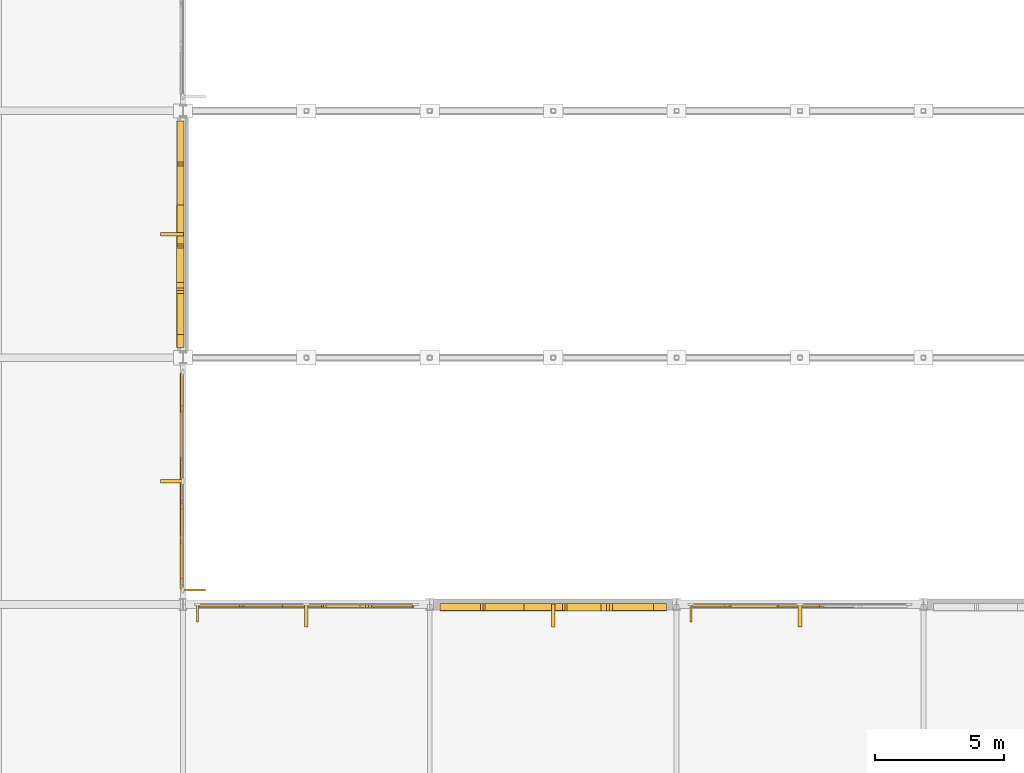
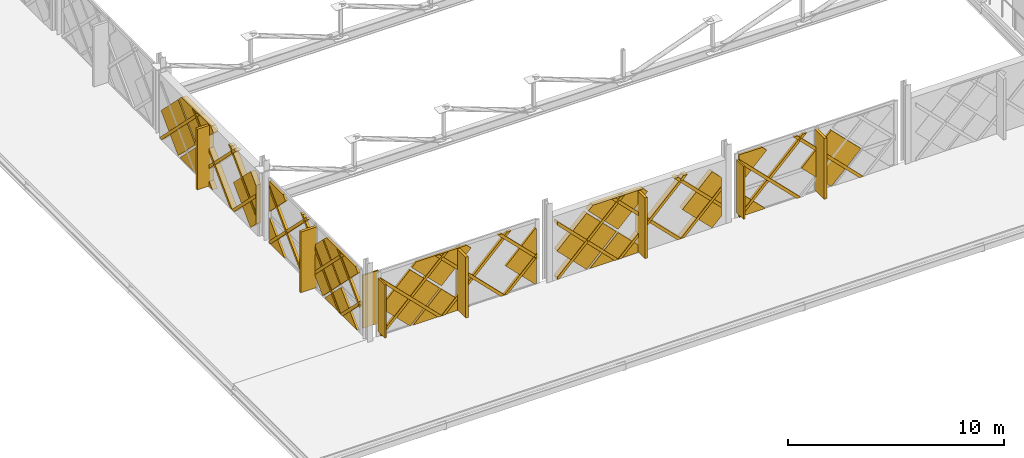
# One storey, part 74 of 101: 51 coverings, 3 shading devices.
"""IFC4 building model written with IfcOpenShell, lengths in metres."""

from ifc_helpers import new_model, si_unit, direction, frame, origin, origin_2d, place, context, subcontext, project, spatial, polyline, rectangle, outline, extrude, material, layer, layer_set, type_object, element, save


model = new_model("IFC4")

# Units and contexts
model_context = context("Model", 3, precision=1e-05, world=origin(), true_north=direction((0.0, 1.0)))
body_context = subcontext(model_context, "Body", "Model", "MODEL_VIEW")
ifc_project = project(units=[si_unit("LENGTHUNIT", "METRE"), si_unit("AREAUNIT", "SQUARE_METRE"), si_unit("VOLUMEUNIT", "CUBIC_METRE"), si_unit("PLANEANGLEUNIT", "RADIAN"), si_unit("MASSUNIT", "GRAM", prefix="KILO")], contexts=[model_context])

# Site, building, storey
site_placement = place(None, origin())
site = spatial("IfcSite", under=ifc_project, at=site_placement, CompositionType="ELEMENT")
building_placement = place(site_placement, origin())
building = spatial("IfcBuilding", under=site, at=building_placement, Name="Zevrakil Square Congress Hotel", CompositionType="ELEMENT")
storey_placement = place(building_placement, frame((0.0, 0.0, 5.39990234375)))
storey = spatial("IfcBuildingStorey", under=building, at=storey_placement, Name="L02", CompositionType="ELEMENT", Elevation=5.39990234375)

# Coverings
ifc_material_1 = material(Name="Architectural White Fibre-C GRC", Category="concrete")
ifc_layer_1 = layer(ifc_material_1, 0.06494140625)
ifc_layer_set_1 = layer_set([ifc_layer_1], Name="Architectural White Fibre-C GRC")
covering_type_1 = type_object("IfcCoveringType", Name="COV-DIA-WHITE", PredefinedType="CLADDING", material=ifc_layer_set_1)
covering_1_placement = place(storey_placement, frame((11.080078125, 7.10595703125, 1.590087890625), z_axis=(0.0, -0.999999790873, 0.000646725815), x_axis=(0.707106707249, -0.000457304257, -0.707106707249)))
element("IfcCovering", 1, at=covering_1_placement, inside=storey, type_object=covering_type_1, Name="L02 45-degree white GRC diamond facade cassette 1", PredefinedType="CLADDING", context=body_context, shape_type="SweptSolid", body=[
    extrude(outline(polyline([(0.0, 0.0), (2.1354765131557993, 0.0), (4.465861884739297e-07, -2.1354765131557527), (0.0, 0.0)])), origin(), (0.0, 0.0, -1.0), 0.1201171875),
])
covering_2_placement = place(storey_placement, frame((9.39990234375, 7.10693359375, 3.27001953125), z_axis=(0.0, -0.999999812555, 0.000612282237), x_axis=(0.707161000838, -0.000432915721, -0.707052424844)))
element("IfcCovering", 2, at=covering_2_placement, inside=storey, type_object=covering_type_1, Name="L02 45-degree white GRC diamond facade cassette 2", PredefinedType="CLADDING", context=body_context, shape_type="SweptSolid", body=[
    extrude(outline(polyline([(0.0, 0.0), (2.2485514454845923, 0.0), (2.248379222880032, -2.2487240657380214), (0.013983748838055643, -2.248379882955194), (-0.0001711092764935529, -2.234222853853795), (0.0, 0.0)])), origin(), (0.0, 0.0, -1.0), 0.1201171875),
])
covering_3_placement = place(storey_placement, frame((16.1201171875, 7.10498046875, 0.090087890625), z_axis=(-4.3911e-08, -0.999999810879, 0.000615014432), x_axis=(-0.707106714509, 0.000434911966, 0.707106714116)))
element("IfcCovering", 3, at=covering_3_placement, inside=storey, type_object=covering_type_1, Name="L02 45-degree white GRC diamond facade cassette 3", PredefinedType="CLADDING", context=body_context, shape_type="SweptSolid", body=[
    extrude(outline(polyline([(0.0, 0.0), (2.2487240723345274, -2.220446049250313e-16), (2.248551862954323, -2.2485514388919943), (2.1639614601190895, -2.2485514548663854), (0.00017263345166069338, -0.0847630362800969), (0.0, 0.0)])), origin(), (0.0, 0.0, -1.0), 0.1201171875),
])
covering_4_placement = place(storey_placement, frame((12.669921875, 7.10693359375, 3.360107421875), z_axis=(0.0, -0.999999832179, 0.000579346068), x_axis=(-0.707052455657, -0.000409691004, -0.707160983866)))
element("IfcCovering", 4, at=covering_4_placement, inside=storey, type_object=covering_type_1, Name="L02 45-degree white GRC diamond facade cassette 4", PredefinedType="CLADDING", context=body_context, shape_type="SweptSolid", body=[
    extrude(outline(polyline([(0.0, 0.0), (2.2485513447832775, -2.220446049250313e-16), (2.248378475325489, -2.2487239649946003), (1.901903001207207, -2.248524784497797), (-2.6675655460328684e-05, -0.346302853878948), (0.0, 0.0)])), origin(), (0.0, 0.0, -1.0), 0.1201171875),
])
covering_5_placement = place(storey_placement, frame((20.4599609375, 6.970947265625, 1.590087890625), z_axis=(0.0, -0.999999790873, 0.000646725815), x_axis=(0.707106707249, -0.000457304257, -0.707106707249)))
element("IfcCovering", 5, at=covering_5_placement, inside=storey, type_object=covering_type_1, Name="L02 45-degree white GRC diamond facade cassette 12", PredefinedType="CLADDING", context=body_context, shape_type="SweptSolid", body=[
    extrude(outline(polyline([(0.0, 0.0), (2.1354765131557993, 0.0), (4.465861884739297e-07, -2.1354765131557527), (0.0, 0.0)])), origin(), (0.0, 0.0, -1.0), 0.27001953125),
])
covering_6_placement = place(storey_placement, frame((18.780029296875, 6.971923828125, 3.27001953125), z_axis=(2.41659e-07, -0.999999856488, 0.000535746851), x_axis=(0.70716100192, -0.000378630288, -0.707052454916)))
element("IfcCovering", 6, at=covering_6_placement, inside=storey, type_object=covering_type_1, Name="L02 45-degree white GRC diamond facade cassette 13", PredefinedType="CLADDING", context=body_context, shape_type="SweptSolid", body=[
    extrude(outline(polyline([(0.0, 0.0), (2.248551442001582, 2.220446049250313e-16), (2.248379120041563, -2.2487239697677768), (0.01381109549741355, -2.248552500098768), (-0.0003437632191625184, -2.2343954703555884), (0.0, 0.0)])), origin(), (0.0, 0.0, -1.0), 0.27001953125),
])
covering_7_placement = place(storey_placement, frame((25.5, 6.97021484375, 0.090087890625), z_axis=(5.020277e-05, -0.999999852613, 0.000540604317), x_axis=(-0.707106744894, 0.000346766286, 0.707106732451)))
element("IfcCovering", 7, at=covering_7_placement, inside=storey, type_object=covering_type_1, Name="L02 45-degree white GRC diamond facade cassette 14", PredefinedType="CLADDING", context=body_context, shape_type="SweptSolid", body=[
    extrude(outline(polyline([(0.0, 0.0), (2.2487239790653226, 0.0), (2.248551664439469, -2.248551438575526), (1.5414448411068693, -2.2485514327970137), (7.843832011689145e-08, -0.7071068214751914), (0.0, 0.0)])), origin(), (0.0, 0.0, -1.0), 0.27001953125),
])
covering_8_placement = place(storey_placement, frame((22.050048828125, 6.971923828125, 3.360107421875), z_axis=(0.0, -0.999999832179, 0.000579346068), x_axis=(-0.707106746172, -0.000409659554, -0.707106697534)))
element("IfcCovering", 8, at=covering_8_placement, inside=storey, type_object=covering_type_1, Name="L02 45-degree white GRC diamond facade cassette 15", PredefinedType="CLADDING", context=body_context, shape_type="SweptSolid", body=[
    extrude(outline(polyline([(0.0, 0.0), (2.2487239716392238, 0.0), (2.2485511154520332, -2.2485513381391633), (1.9022482605456785, -2.2485513919470725), (0.00017254537865349362, -0.34647548840639664), (0.0, 0.0)])), origin(), (0.0, 0.0, -1.0), 0.27001953125),
])
covering_9_placement = place(storey_placement, frame((28.429931640625, 7.10498046875, 0.080078125), z_axis=(0.0, -0.999999760125, 0.000692640526), x_axis=(-1.0, 0.0, 0.0)))
element("IfcCovering", 9, at=covering_9_placement, inside=storey, type_object=covering_type_1, Name="L02 45-degree white GRC diamond facade cassette 23", PredefinedType="CLADDING", context=body_context, shape_type="SweptSolid", body=[
    extrude(outline(polyline([(0.0, 0.0), (1.409912109375, 0.0), (1.409912109375, -1.4099124475784228), (0.0, 0.0)])), origin(), (0.0, 0.0, -1.0), 0.1201171875),
])
covering_10_placement = place(storey_placement, frame((31.9599609375, 7.10693359375, 3.27001953125), z_axis=(0.0, -0.999999811377, 0.000614203339), x_axis=(0.707161000837, -0.000434274042, -0.707052424012)))
element("IfcCovering", 10, at=covering_10_placement, inside=storey, type_object=covering_type_1, Name="L02 45-degree white GRC diamond facade cassette 25", PredefinedType="CLADDING", context=body_context, shape_type="SweptSolid", body=[
    extrude(outline(polyline([(0.0, 0.0), (2.2485514454867683, 0.0), (2.2483792228863573, -2.248724065739994), (-0.0001721960923970478, -2.248378798790573), (0.0, 0.0)])), origin(), (0.0, 0.0, -1.0), 0.1201171875),
])
covering_11_placement = place(storey_placement, frame((28.510009765625, 7.10693359375, 3.360107421875), z_axis=(-6.3817204e-05, -0.999999812707, 0.000608697323), x_axis=(-0.70710674138, -0.000385288462, -0.707106716025)))
element("IfcCovering", 11, at=covering_11_placement, inside=storey, type_object=covering_type_1, Name="L02 45-degree white GRC diamond facade cassette 26", PredefinedType="CLADDING", context=body_context, shape_type="SweptSolid", body=[
    extrude(outline(polyline([(0.0, 0.0), (2.107164523048957, 0.0), (0.8804306692337134, -1.2267337135238576), (0.00017254562600751977, -0.34647549439319403), (0.0, 0.0)])), origin(), (0.0, 0.0, -1.0), 0.1201171875),
])
covering_12_placement = place(storey_placement, frame((7.10498046875, 14.77001953125, 0.080078125), z_axis=(-0.999999760125, 0.0, 0.000692640526), x_axis=(0.0, 1.0, 0.0)))
element("IfcCovering", 12, at=covering_12_placement, inside=storey, type_object=covering_type_1, Name="L02 45-degree white GRC diamond facade cassette 316", PredefinedType="CLADDING", context=body_context, shape_type="SweptSolid", body=[
    extrude(outline(polyline([(0.0, 0.0), (1.409912109375, 0.0), (1.409912109375, -1.4099124475784228), (0.0, 0.0)])), origin(), (0.0, 0.0, -1.0), 0.1201171875),
])
covering_13_placement = place(storey_placement, frame((7.10595703125, 9.56005859375, 1.590087890625), z_axis=(-0.999999790873, 0.0, 0.000646725815), x_axis=(-0.000457304257, -0.707106707249, -0.707106707249)))
element("IfcCovering", 13, at=covering_13_placement, inside=storey, type_object=covering_type_1, Name="L02 45-degree white GRC diamond facade cassette 317", PredefinedType="CLADDING", context=body_context, shape_type="SweptSolid", body=[
    extrude(outline(polyline([(0.0, 0.0), (2.1354765131557993, 0.0), (4.465861884739297e-07, -2.1354765131557527), (0.0, 0.0)])), origin(), (0.0, 0.0, -1.0), 0.1201171875),
])
covering_14_placement = place(storey_placement, frame((7.10693359375, 11.239990234375, 3.27001953125), z_axis=(-0.999999811377, 0.0, 0.000614203339), x_axis=(-0.000434274042, -0.707161000837, -0.707052424012)))
element("IfcCovering", 14, at=covering_14_placement, inside=storey, type_object=covering_type_1, Name="L02 45-degree white GRC diamond facade cassette 318", PredefinedType="CLADDING", context=body_context, shape_type="SweptSolid", body=[
    extrude(outline(polyline([(0.0, 0.0), (2.2485514454867683, 0.0), (2.2483792228863573, -2.248724065739994), (-0.0003448428211170196, -2.248551419043839), (0.0, 0.0)])), origin(), (0.0, 0.0, -1.0), 0.1201171875),
])
covering_15_placement = place(storey_placement, frame((7.10693359375, 14.68994140625, 3.360107421875), z_axis=(-0.999999808822, 6.6855783e-05, 0.000614723742), x_axis=(-0.000387401185, 0.707106741694, -0.707106714557)))
element("IfcCovering", 15, at=covering_15_placement, inside=storey, type_object=covering_type_1, Name="L02 45-degree white GRC diamond facade cassette 319", PredefinedType="CLADDING", context=body_context, shape_type="SweptSolid", body=[
    extrude(outline(polyline([(0.0, 0.0), (2.1071645228764107, 0.0), (0.8873360085541673, -1.2198283755846069), (-8.820028063460938e-08, -0.332492183678786), (0.0, 0.0)])), origin(), (0.0, 0.0, -1.0), 0.1201171875),
])
covering_16_placement = place(storey_placement, frame((7.10693359375, 7.969970703125, 3.360107421875), z_axis=(-0.999999828983, 0.0, 0.000584837432), x_axis=(-0.000413542534, 0.707106746408, -0.707106695038)))
element("IfcCovering", 16, at=covering_16_placement, inside=storey, type_object=covering_type_1, Name="L02 45-degree white GRC diamond facade cassette 320", PredefinedType="CLADDING", context=body_context, shape_type="SweptSolid", body=[
    extrude(outline(polyline([(0.0, 0.0), (2.2487239708892055, 0.0), (2.2485511162019938, -2.2485513373892037), (1.9162315725232468, -2.248724027067328), (-8.888497854409039e-08, -0.33249217716174995), (0.0, 0.0)])), origin(), (0.0, 0.0, -1.0), 0.1201171875),
])
covering_17_placement = place(storey_placement, frame((6.970947265625, 22.739990234375, 1.590087890625), z_axis=(-0.999999790873, 0.0, 0.000646725815), x_axis=(-0.000457304257, -0.707106707249, -0.707106707249)))
element("IfcCovering", 17, at=covering_17_placement, inside=storey, type_object=covering_type_1, Name="L02 45-degree white GRC diamond facade cassette 336", PredefinedType="CLADDING", context=body_context, shape_type="SweptSolid", body=[
    extrude(outline(polyline([(0.0, 0.0), (2.1354765131557993, 0.0), (4.465861884739297e-07, -2.1354765131557527), (0.0, 0.0)])), origin(), (0.0, 0.0, -1.0), 0.27001953125),
])
covering_18_placement = place(storey_placement, frame((6.971923828125, 24.419921875, 3.27001953125), z_axis=(-0.999999856488, -2.41678e-07, 0.000535746722), x_axis=(-0.000378659283, -0.707106715571, -0.707106745415)))
element("IfcCovering", 18, at=covering_18_placement, inside=storey, type_object=covering_type_1, Name="L02 45-degree white GRC diamond facade cassette 337", PredefinedType="CLADDING", context=body_context, shape_type="SweptSolid", body=[
    extrude(outline(polyline([(0.0, 0.0), (2.248378801899082, 2.220446049250313e-16), (2.248551760168468, -2.248551342862844), (0.013983729045442761, -2.2485514331189314), (-0.00017221654148569243, -2.2343954901628624), (0.0, 0.0)])), origin(), (0.0, 0.0, -1.0), 0.27001953125),
])
covering_19_placement = place(storey_placement, frame((6.97021484375, 17.699951171875, 0.090087890625), z_axis=(-0.999999852613, -5.020277e-05, 0.000540604317), x_axis=(0.000346766286, 0.707106744894, 0.707106732451)))
element("IfcCovering", 19, at=covering_19_placement, inside=storey, type_object=covering_type_1, Name="L02 45-degree white GRC diamond facade cassette 338", PredefinedType="CLADDING", context=body_context, shape_type="SweptSolid", body=[
    extrude(outline(polyline([(0.0, 0.0), (2.2487239790653226, 0.0), (2.248551664439469, -2.248551438575526), (1.5414448411068693, -2.2485514327970137), (7.843832011689145e-08, -0.7071068214751914), (0.0, 0.0)])), origin(), (0.0, 0.0, -1.0), 0.27001953125),
])
covering_20_placement = place(storey_placement, frame((6.971923828125, 21.14990234375, 3.360107421875), z_axis=(-0.999999828985, 0.0, 0.000584833987), x_axis=(-0.000413540099, 0.707106746408, -0.707106695039)))
element("IfcCovering", 20, at=covering_20_placement, inside=storey, type_object=covering_type_1, Name="L02 45-degree white GRC diamond facade cassette 339", PredefinedType="CLADDING", context=body_context, shape_type="SweptSolid", body=[
    extrude(outline(polyline([(0.0, 0.0), (2.2487239708896865, -2.220446049250313e-16), (2.2487237496845225, -2.248723970889676), (1.9162315725230248, -2.248724027067478), (-8.88847899171985e-08, -0.33249217716149015), (0.0, 0.0)])), origin(), (0.0, 0.0, -1.0), 0.27001953125),
])
ifc_material_2 = material(Name="Anodised Champagne Aluminium", Category="aluminium")
ifc_layer_2 = layer(ifc_material_2, 0.0849609375)
ifc_layer_set_2 = layer_set([ifc_layer_2], Name="Anodised Champagne Aluminium")
covering_type_2 = type_object("IfcCoveringType", Name="COV-DIAGRID-45", PredefinedType="MOLDING", material=ifc_layer_set_2)
covering_21_placement = place(storey_placement, frame((7.906005859375, 7.080078125, 0.080078125), z_axis=(0.000187420889, -0.999999884475, 0.000442632313), x_axis=(-0.999999982437, -0.000187420871, 8.2959e-08)))
element("IfcCovering", 21, at=covering_21_placement, inside=storey, type_object=covering_type_2, Name="L02 45-degree aluminium diagrid rib 5", PredefinedType="MOLDING", context=body_context, shape_type="SweptSolid", body=[
    extrude(outline(polyline([(0.0, 0.0), (0.08593749849065434, 0.0), (0.08593750896174, -0.12622069076020653), (-3.3129883424556827, -3.5249029710253903), (-3.5251465418544856, -3.5249029710253903), (0.0, 0.0)])), origin(), (0.0, 0.0, -1.0), 0.14501953125),
])
covering_22_placement = place(storey_placement, frame((11.26611328125, 7.080078125, 0.080078125), z_axis=(0.0, -0.999999805714, 0.000623354914), x_axis=(-1.0, 0.0, 0.0)))
element("IfcCovering", 22, at=covering_22_placement, inside=storey, type_object=covering_type_2, Name="L02 45-degree aluminium diagrid rib 6", PredefinedType="MOLDING", context=body_context, shape_type="SweptSolid", body=[
    extrude(outline(polyline([(0.0, 0.0), (0.212158203125, 0.0), (-3.312744140625, -3.5249030285882292), (-3.52490234375, -3.5249030285882292), (0.0, 0.0)])), origin(), (0.0, 0.0, -1.0), 0.14501953125),
])
covering_23_placement = place(storey_placement, frame((14.626220703125, 7.080078125, 0.080078125), z_axis=(0.000293980909, -0.999999913476, 0.000294319207), x_axis=(-0.999999956788, -0.000293980897, 8.6524e-08)))
element("IfcCovering", 23, at=covering_23_placement, inside=storey, type_object=covering_type_2, Name="L02 45-degree aluminium diagrid rib 7", PredefinedType="MOLDING", context=body_context, shape_type="SweptSolid", body=[
    extrude(outline(polyline([(0.0, 0.0), (0.21240233457158741, 0.0), (-1.5537110046395635, -1.7661134921773871), (-1.553711022996389, -1.5539552982413625), (0.0, 0.0)])), origin(), (0.0, 0.0, -1.0), 0.14501953125),
])
covering_24_placement = place(storey_placement, frame((7.820068359375, 7.081787109375, 3.154052734375), z_axis=(0.000287317256, -0.999999586254, 0.000863099624), x_axis=(8.2646e-08, 0.000863099684, 0.999999627529)))
element("IfcCovering", 24, at=covering_24_placement, inside=storey, type_object=covering_type_2, Name="L02 45-degree aluminium diagrid rib 8", PredefinedType="MOLDING", context=body_context, shape_type="SweptSolid", body=[
    extrude(outline(polyline([(0.0, 0.0), (0.212158334820002, 0.0), (-3.0739746678474664, -3.286133202189314), (-3.0739746854017027, -3.07373086720635), (0.0, 0.0)])), origin(), (0.0, 0.0, -1.0), 0.14501953125),
])
covering_25_placement = place(storey_placement, frame((10.72900390625, 7.082275390625, 3.60498046875), z_axis=(0.0, -0.999999805714, 0.000623354914), x_axis=(1.0, 0.0, 0.0)))
element("IfcCovering", 25, at=covering_25_placement, inside=storey, type_object=covering_type_2, Name="L02 45-degree aluminium diagrid rib 9", PredefinedType="MOLDING", context=body_context, shape_type="SweptSolid", body=[
    extrude(outline(polyline([(0.0, 0.0), (0.212158203125, 0.0), (3.737060546875, -3.5249030285882292), (3.52490234375, -3.5249030285882292), (0.0, 0.0)])), origin(), (0.0, 0.0, -1.0), 0.14501953125),
])
covering_26_placement = place(storey_placement, frame((14.0888671875, 7.082275390625, 3.60498046875), z_axis=(0.000236587851, -0.999999555129, 0.000913108865), x_axis=(0.999999972013, 0.000236587752, -2.1603e-07)))
element("IfcCovering", 26, at=covering_26_placement, inside=storey, type_object=covering_type_2, Name="L02 45-degree aluminium diagrid rib 10", PredefinedType="MOLDING", context=body_context, shape_type="SweptSolid", body=[
    extrude(outline(polyline([(0.0, 0.0), (0.21215819718734832, -5.6157808774107894e-24), (2.091064511647426, -1.878662440825683), (2.091064499772122, -2.0910649189555177), (0.0, 0.0)])), origin(), (0.0, 0.0, -1.0), 0.14501953125),
])
covering_27_placement = place(storey_placement, frame((17.2861328125, 6.945068359375, 0.080078125), z_axis=(0.000187311957, -0.999999884449, 0.000442737353), x_axis=(-0.999999982457, -0.000187311939, 8.293e-08)))
element("IfcCovering", 27, at=covering_27_placement, inside=storey, type_object=covering_type_2, Name="L02 45-degree aluminium diagrid rib 16", PredefinedType="MOLDING", context=body_context, shape_type="SweptSolid", body=[
    extrude(outline(polyline([(0.0, 0.0), (0.0861816391131254, 2.2812090330563966e-24), (0.08618164958060848, -0.12622069075433734), (-3.312744201763839, -3.524902971092284), (-3.5249024011669716, -3.524902971092284), (0.0, 0.0)])), origin(), (0.0, 0.0, -1.0), 0.294921875),
])
covering_28_placement = place(storey_placement, frame((20.64599609375, 6.945068359375, 0.080078125), z_axis=(0.0, -0.999999805714, 0.000623354914), x_axis=(-1.0, 0.0, 0.0)))
element("IfcCovering", 28, at=covering_28_placement, inside=storey, type_object=covering_type_2, Name="L02 45-degree aluminium diagrid rib 17", PredefinedType="MOLDING", context=body_context, shape_type="SweptSolid", body=[
    extrude(outline(polyline([(0.0, 0.0), (0.212158203125, 0.0), (-3.31298828125, -3.5249030285882292), (-3.525146484375, -3.5249030285882292), (0.0, 0.0)])), origin(), (0.0, 0.0, -1.0), 0.294921875),
])
covering_29_placement = place(storey_placement, frame((24.006103515625, 6.945068359375, 0.080078125), z_axis=(0.000290646956, -0.999999915524, 0.000290646956), x_axis=(-0.999999957762, -0.000290646943, 8.4476e-08)))
element("IfcCovering", 29, at=covering_29_placement, inside=storey, type_object=covering_type_2, Name="L02 45-degree aluminium diagrid rib 18", PredefinedType="MOLDING", context=body_context, shape_type="SweptSolid", body=[
    extrude(outline(polyline([(0.0, 0.0), (0.21215819416389847, -2.8078904387053947e-24), (-1.9938965685928591, -2.2060549491146975), (-1.9938965865150626, -1.9938967549507998), (0.0, 0.0)])), origin(), (0.0, 0.0, -1.0), 0.294921875),
])
covering_30_placement = place(storey_placement, frame((17.199951171875, 6.947021484375, 3.154052734375), z_axis=(-0.00030708991, -0.999999905696, 0.00030708991), x_axis=(9.4304e-08, 0.000307089896, 0.999999952848)))
element("IfcCovering", 30, at=covering_30_placement, inside=storey, type_object=covering_type_2, Name="L02 45-degree aluminium diagrid rib 19", PredefinedType="MOLDING", context=body_context, shape_type="SweptSolid", body=[
    extrude(outline(polyline([(0.0, 0.0), (0.2121581931212936, 0.0), (-3.0739747543193885, -3.2861332573369064), (-3.073974774326802, -3.0739750642156136), (0.0, 0.0)])), origin(), (0.0, 0.0, -1.0), 0.294921875),
])
covering_31_placement = place(storey_placement, frame((20.10888671875, 6.947265625, 3.60498046875), z_axis=(0.0, -0.999999805714, 0.000623354914), x_axis=(1.0, 0.0, 0.0)))
element("IfcCovering", 31, at=covering_31_placement, inside=storey, type_object=covering_type_2, Name="L02 45-degree aluminium diagrid rib 20", PredefinedType="MOLDING", context=body_context, shape_type="SweptSolid", body=[
    extrude(outline(polyline([(0.0, 0.0), (0.212158203125, 0.0), (3.7373046875, -3.524903028588229), (3.52490234375, -3.524903028588229), (0.0, 0.0)])), origin(), (0.0, 0.0, -1.0), 0.294921875),
])
covering_32_placement = place(storey_placement, frame((23.468994140625, 6.947265625, 3.60498046875), z_axis=(0.000248165226, -0.99999956188, 0.000902582256), x_axis=(0.999999969207, 0.000248165125, -2.2399e-07)))
element("IfcCovering", 32, at=covering_32_placement, inside=storey, type_object=covering_type_2, Name="L02 45-degree aluminium diagrid rib 21", PredefinedType="MOLDING", context=body_context, shape_type="SweptSolid", body=[
    extrude(outline(polyline([(0.0, 0.0), (0.21215819659201454, 0.0), (2.531005937312241, -2.318848033861662), (2.53100592424627, -2.5310063709258004), (0.0, 0.0)])), origin(), (0.0, 0.0, -1.0), 0.294921875),
])
covering_33_placement = place(storey_placement, frame((27.106201171875, 7.080078125, 0.080078125), z_axis=(0.000187311957, -0.999999884449, 0.000442737353), x_axis=(-0.999999982457, -0.000187311939, 8.293e-08)))
element("IfcCovering", 33, at=covering_33_placement, inside=storey, type_object=covering_type_2, Name="L02 45-degree aluminium diagrid rib 28", PredefinedType="MOLDING", context=body_context, shape_type="SweptSolid", body=[
    extrude(outline(polyline([(0.0, 0.0), (0.0861816391131254, 2.2812090330563966e-24), (0.08618164958060848, -0.12622069075433734), (-3.312744201763839, -3.524902971092284), (-3.5249024011669716, -3.524902971092284), (0.0, 0.0)])), origin(), (0.0, 0.0, -1.0), 0.14501953125),
])
covering_34_placement = place(storey_placement, frame((27.02001953125, 7.081787109375, 3.154052734375), z_axis=(0.000287477056, -0.99999958606, 0.000863270454), x_axis=(8.2643e-08, 0.000863270513, 0.999999627382)))
element("IfcCovering", 34, at=covering_34_placement, inside=storey, type_object=covering_type_2, Name="L02 45-degree aluminium diagrid rib 31", PredefinedType="MOLDING", context=body_context, shape_type="SweptSolid", body=[
    extrude(outline(polyline([(0.0, 0.0), (0.21215833483042407, 1.3234889800848443e-23), (-3.0739746676964605, -3.286133202330571), (-3.073974685229852, -3.0739750079722734), (0.0, 0.0)])), origin(), (0.0, 0.0, -1.0), 0.14501953125),
])
covering_35_placement = place(storey_placement, frame((29.928955078125, 7.082275390625, 3.60498046875), z_axis=(0.0, -0.999999805714, 0.000623354914), x_axis=(1.0, 0.0, 0.0)))
element("IfcCovering", 35, at=covering_35_placement, inside=storey, type_object=covering_type_2, Name="L02 45-degree aluminium diagrid rib 32", PredefinedType="MOLDING", context=body_context, shape_type="SweptSolid", body=[
    extrude(outline(polyline([(0.0, 0.0), (0.212158203125, 0.0), (3.737060546875, -3.5249030285882292), (3.52490234375, -3.5249030285882292), (0.0, 0.0)])), origin(), (0.0, 0.0, -1.0), 0.14501953125),
])
covering_36_placement = place(storey_placement, frame((7.080078125, 16.093994140625, 0.080078125), z_axis=(-0.99999988382, -0.000187951111, 0.000443884538), x_axis=(-0.000187951092, 0.999999982337, 8.3429e-08)))
element("IfcCovering", 36, at=covering_36_placement, inside=storey, type_object=covering_type_2, Name="L02 45-degree aluminium diagrid rib 321", PredefinedType="MOLDING", context=body_context, shape_type="SweptSolid", body=[
    extrude(outline(polyline([(0.0, 0.0), (0.08593749848210225, 1.137373342260413e-24), (0.085937509012518, -0.12622069069014652), (-3.302978577000679, -3.515137347782409), (-3.515136776378369, -3.515137347782409), (0.0, 0.0)])), origin(), (0.0, 0.0, -1.0), 0.14501953125),
])
covering_37_placement = place(storey_placement, frame((7.080078125, 12.73388671875, 0.080078125), z_axis=(-0.999999804633, 0.0, 0.000625086695), x_axis=(0.0, 1.0, 0.0)))
element("IfcCovering", 37, at=covering_37_placement, inside=storey, type_object=covering_type_2, Name="L02 45-degree aluminium diagrid rib 322", PredefinedType="MOLDING", context=body_context, shape_type="SweptSolid", body=[
    extrude(outline(polyline([(0.0, 0.0), (0.212158203125, 0.0), (-3.302734375, -3.5151374054908215), (-3.514892578125, -3.5151374054908215), (0.0, 0.0)])), origin(), (0.0, 0.0, -1.0), 0.14501953125),
])
covering_38_placement = place(storey_placement, frame((7.080078125, 9.373779296875, 0.080078125), z_axis=(-0.999999913476, -0.000293980909, 0.000294319207), x_axis=(-0.000293980897, 0.999999956788, 8.6524e-08)))
element("IfcCovering", 38, at=covering_38_placement, inside=storey, type_object=covering_type_2, Name="L02 45-degree aluminium diagrid rib 323", PredefinedType="MOLDING", context=body_context, shape_type="SweptSolid", body=[
    extrude(outline(polyline([(0.0, 0.0), (0.21240233457158741, 0.0), (-1.5537110046395635, -1.7661134921773871), (-1.553711022996389, -1.5539552982413625), (0.0, 0.0)])), origin(), (0.0, 0.0, -1.0), 0.14501953125),
])
covering_39_placement = place(storey_placement, frame((7.081787109375, 16.179931640625, 3.154052734375), z_axis=(-0.999999586254, -0.000287317256, 0.000863099624), x_axis=(0.000863099684, -8.2646e-08, 0.999999627529)))
element("IfcCovering", 39, at=covering_39_placement, inside=storey, type_object=covering_type_2, Name="L02 45-degree aluminium diagrid rib 324", PredefinedType="MOLDING", context=body_context, shape_type="SweptSolid", body=[
    extrude(outline(polyline([(0.0, 0.0), (0.212158334820002, 0.0), (-3.0739746678474664, -3.286133202189314), (-3.0739746854017027, -3.07373086720635), (0.0, 0.0)])), origin(), (0.0, 0.0, -1.0), 0.14501953125),
])
covering_40_placement = place(storey_placement, frame((7.082275390625, 13.260986328125, 3.59521484375), z_axis=(-0.999999804633, 0.0, 0.000625086695), x_axis=(0.0, -1.0, 0.0)))
element("IfcCovering", 40, at=covering_40_placement, inside=storey, type_object=covering_type_2, Name="L02 45-degree aluminium diagrid rib 325", PredefinedType="MOLDING", context=body_context, shape_type="SweptSolid", body=[
    extrude(outline(polyline([(0.0, 0.0), (0.212158203125, 0.0), (3.72705078125, -3.5151374054908215), (3.514892578125, -3.5151374054908215), (0.0, 0.0)])), origin(), (0.0, 0.0, -1.0), 0.14501953125),
])
covering_41_placement = place(storey_placement, frame((7.082275390625, 9.901123046875, 3.59521484375), z_axis=(-0.999999554006, -0.000234928981, 0.000914765827), x_axis=(0.000234928883, -0.999999972404, -2.14905e-07)))
element("IfcCovering", 41, at=covering_41_placement, inside=storey, type_object=covering_type_2, Name="L02 45-degree aluminium diagrid rib 326", PredefinedType="MOLDING", context=body_context, shape_type="SweptSolid", body=[
    extrude(outline(polyline([(0.0, 0.0), (0.21215819727032179, -5.6157808774107894e-24), (2.0810547449283985, -1.8688968190892923), (2.081054733219042, -2.0812992973020044), (0.0, 0.0)])), origin(), (0.0, 0.0, -1.0), 0.14501953125),
])
covering_42_placement = place(storey_placement, frame((6.945068359375, 25.913818359375, 0.080078125), z_axis=(-0.999999883794, -0.000187841865, 0.000443989862), x_axis=(-0.000187841846, 0.999999982358, 8.34e-08)))
element("IfcCovering", 42, at=covering_42_placement, inside=storey, type_object=covering_type_2, Name="L02 45-degree aluminium diagrid rib 340", PredefinedType="MOLDING", context=body_context, shape_type="SweptSolid", body=[
    extrude(outline(polyline([(0.0, 0.0), (0.08618163910455907, 0.0), (0.0861816496313512, -0.12622069068424482), (-3.3027344363086577, -3.515137347849475), (-3.5148926356907024, -3.515137347849475), (0.0, 0.0)])), origin(), (0.0, 0.0, -1.0), 0.294921875),
])
covering_43_placement = place(storey_placement, frame((6.945068359375, 22.553955078125, 0.080078125), z_axis=(-0.999999804633, 0.0, 0.000625086695), x_axis=(0.0, 1.0, 0.0)))
element("IfcCovering", 43, at=covering_43_placement, inside=storey, type_object=covering_type_2, Name="L02 45-degree aluminium diagrid rib 341", PredefinedType="MOLDING", context=body_context, shape_type="SweptSolid", body=[
    extrude(outline(polyline([(0.0, 0.0), (0.212158203125, 0.0), (-3.302734375, -3.515137405490821), (-3.51513671875, -3.515137405490821), (0.0, 0.0)])), origin(), (0.0, 0.0, -1.0), 0.294921875),
])
covering_44_placement = place(storey_placement, frame((6.945068359375, 19.19384765625, 0.080078125), z_axis=(-0.999999915524, -0.000290646956, 0.000290646956), x_axis=(-0.000290646943, 0.999999957762, 8.4476e-08)))
element("IfcCovering", 44, at=covering_44_placement, inside=storey, type_object=covering_type_2, Name="L02 45-degree aluminium diagrid rib 342", PredefinedType="MOLDING", context=body_context, shape_type="SweptSolid", body=[
    extrude(outline(polyline([(0.0, 0.0), (0.21215819416389847, -2.8078904387053947e-24), (-1.9938965685928591, -2.2060549491146975), (-1.9938965865150626, -1.9938967549507998), (0.0, 0.0)])), origin(), (0.0, 0.0, -1.0), 0.294921875),
])
covering_45_placement = place(storey_placement, frame((6.947265625, 23.0810546875, 3.59521484375), z_axis=(-0.999999804633, 0.0, 0.000625086695), x_axis=(0.0, -1.0, 0.0)))
element("IfcCovering", 45, at=covering_45_placement, inside=storey, type_object=covering_type_2, Name="L02 45-degree aluminium diagrid rib 344", PredefinedType="MOLDING", context=body_context, shape_type="SweptSolid", body=[
    extrude(outline(polyline([(0.0, 0.0), (0.212158203125, 0.0), (3.72705078125, -3.5151374054908215), (3.514892578125, -3.5151374054908215), (0.0, 0.0)])), origin(), (0.0, 0.0, -1.0), 0.294921875),
])
covering_46_placement = place(storey_placement, frame((6.947265625, 19.72119140625, 3.59521484375), z_axis=(-0.999999561179, -0.000246706455, 0.000903757129), x_axis=(0.000246706354, -0.999999969568, -2.22963e-07)))
element("IfcCovering", 46, at=covering_46_placement, inside=storey, type_object=covering_type_2, Name="L02 45-degree aluminium diagrid rib 345", PredefinedType="MOLDING", context=body_context, shape_type="SweptSolid", body=[
    extrude(outline(polyline([(0.0, 0.0), (0.21240233728616384, -5.62224322594636e-24), (2.5212403111014807, -2.309082412110285), (2.5212402981738085, -2.521240749236134), (0.0, 0.0)])), origin(), (0.0, 0.0, -1.0), 0.294921875),
])
ifc_material_3 = material(Name="Architectural White Fibre-C GRC", Category="concrete")
ifc_layer_3 = layer(ifc_material_3, 0.139892578125)
ifc_layer_set_3 = layer_set([ifc_layer_3], Name="Architectural White Fibre-C GRC")
covering_type_3 = type_object("IfcCoveringType", Name="COV-FIN-GRC90", PredefinedType="MOLDING", material=ifc_layer_set_3)
for number, where, z_axis, x_axis, name in (
    (47, (12.0, 6.780029296875, 0.1201171875), (0.0, 0.0, 1.0), (0.0, -1.0, 0.0), "L02 highland sun-breaker GRC fin 11"),
    (48, (21.60009765625, 6.780029296875, 0.1201171875), (0.0, 0.0, 1.0), (0.0, -1.0, 0.0), "L02 highland sun-breaker GRC fin 22"),
    (49, (31.199951171875, 6.780029296875, 0.1201171875), (0.0, 0.0, 1.0), (0.0, -1.0, 0.0), "L02 highland sun-breaker GRC fin 34"),
):
    element("IfcCovering", number, at=place(storey_placement, frame(where, z_axis=z_axis, x_axis=x_axis)), inside=storey, type_object=covering_type_3, Name=name, PredefinedType="MOLDING", context=body_context, shape_type="SweptSolid", body=[
        extrude(rectangle(XDim=0.89990234375, YDim=0.139892578125, at=origin_2d()), origin(), (0.0, 0.0, 1.0), 3.445068359375),
    ])
for number, where, z_axis, x_axis, name in (
    (50, (6.780029296875, 12.0, 0.1201171875), (0.0, 0.0, 1.0), (-1.0, 0.0, 0.0), "L02 highland sun-breaker GRC fin 327"),
    (51, (6.780029296875, 21.60009765625, 0.1201171875), (0.0, 0.0, 1.0), (-1.0, 0.0, 0.0), "L02 highland sun-breaker GRC fin 346"),
):
    element("IfcCovering", number, at=place(storey_placement, frame(where, z_axis=z_axis, x_axis=x_axis)), inside=storey, type_object=covering_type_3, Name=name, PredefinedType="MOLDING", context=body_context, shape_type="SweptSolid", body=[
        extrude(rectangle(XDim=0.89990234375, YDim=0.139892578125, at=origin_2d()), origin(), (0.0, 0.0, 1.0), 3.43505859375),
    ])

# Shading devices
ifc_material_4 = material(Name="Aluminium Anodised Bronze", Category="aluminium")
shading_device_type_1 = type_object("IfcShadingDeviceType", Name="SHD-FIN-65", PredefinedType="USERDEFINED", material=ifc_material_4)
for number, where, z_axis, x_axis, name in (
    (52, (7.760009765625, 6.85498046875, 0.342529296875), (0.0, 0.0, 1.0), (0.0, -1.0, 0.0), "L02 aluminium solar shading fin 2"),
    (53, (26.9599609375, 6.85498046875, 0.342529296875), (0.0, 0.0, 1.0), (0.0, -1.0, 0.0), "L02 aluminium solar shading fin 3"),
):
    element("IfcShadingDevice", number, at=place(storey_placement, frame(where, z_axis=z_axis, x_axis=x_axis)), inside=storey, type_object=shading_device_type_1, Name=name, ObjectType="SOLAR FIN", PredefinedType="USERDEFINED", context=body_context, shape_type="SweptSolid", body=[
        extrude(rectangle(XDim=0.64990234375, YDim=0.080078125, at=origin_2d()), origin(), (0.0, 0.0, 1.0), 3.0),
    ])
ifc_material_5 = material(Name="Aluminium Anodised Bronze", Category="aluminium")
shading_device_type_2 = type_object("IfcShadingDeviceType", Name="SHD-FIN-85", PredefinedType="USERDEFINED", material=ifc_material_5)
shading_device_placement = place(storey_placement, frame((7.64501953125, 7.760009765625, 0.337646484375), z_axis=(0.0, 0.0, 1.0), x_axis=(1.0, 0.0, 0.0)))
element("IfcShadingDevice", 54, at=shading_device_placement, inside=storey, type_object=shading_device_type_2, Name="L02 aluminium solar shading fin 19", ObjectType="SOLAR FIN", PredefinedType="USERDEFINED", context=body_context, shape_type="SweptSolid", body=[
    extrude(rectangle(XDim=0.85009765625, YDim=0.080078125, at=origin_2d()), origin(), (0.0, 0.0, 1.0), 3.0),
])

save(model, "model.ifc")
